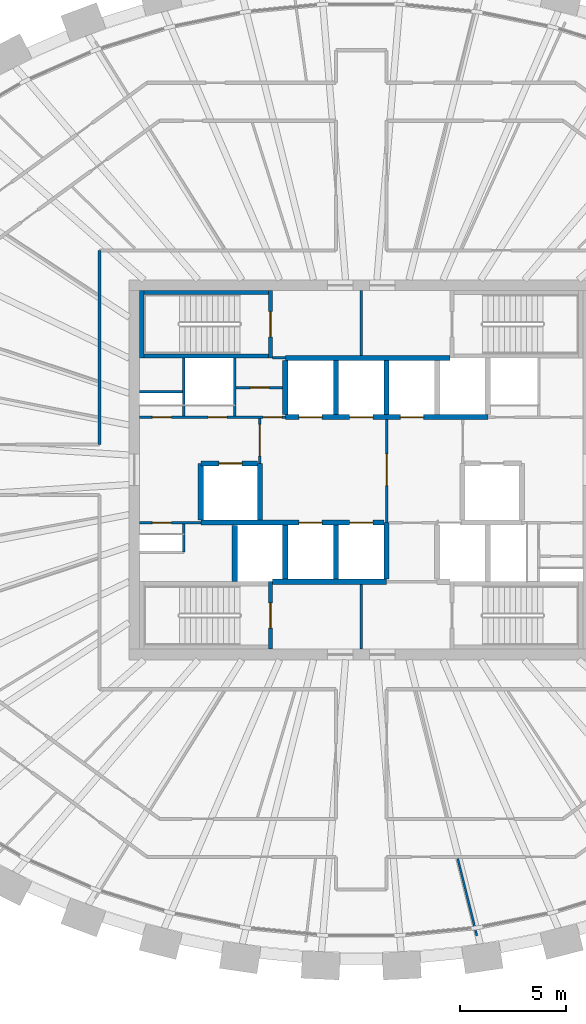
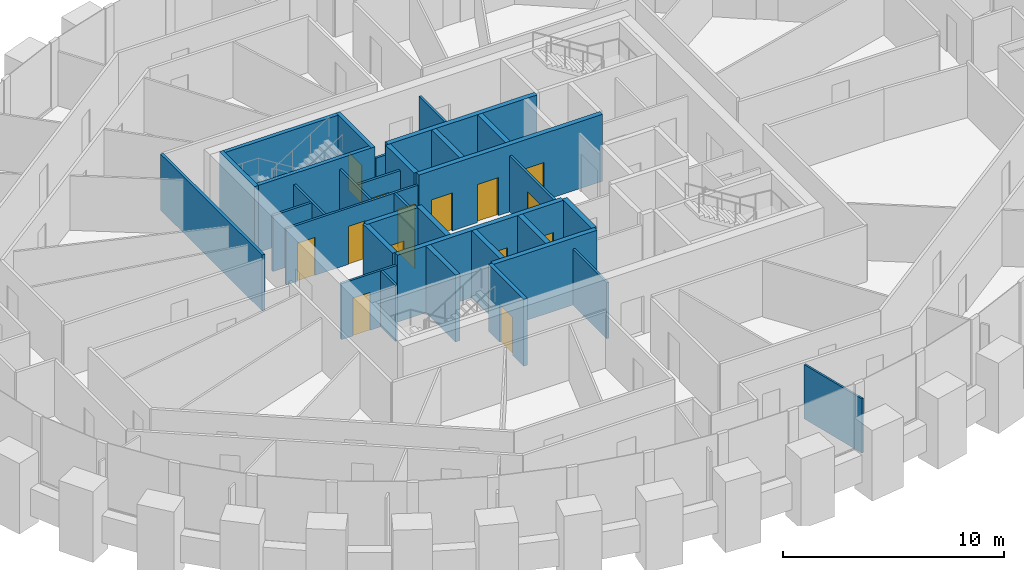
# One storey, part 7 of 12: 33 walls, 15 doors, 15 openings.
"""IFC4 building model written with IfcOpenShell, lengths in metres."""

from ifc_helpers import new_model, si_unit, direction, frame, frame_2d, origin, place, context, subcontext, project, spatial, rectangle, extrude, source, transform, mapped, material, layer, layer_set, type_object, element, fill, save


model = new_model("IFC4")

# Units and contexts
model_context = context("Model", 3, precision=1e-05, world=origin(), true_north=direction((0.0, 1.0)))
body_context = subcontext(model_context, "Body", "Model", "MODEL_VIEW")
ifc_project = project(units=[si_unit("LENGTHUNIT", "METRE"), si_unit("AREAUNIT", "SQUARE_METRE"), si_unit("VOLUMEUNIT", "CUBIC_METRE"), si_unit("PLANEANGLEUNIT", "RADIAN"), si_unit("MASSUNIT", "GRAM", prefix="KILO")], contexts=[model_context])

# Site, building, storey
site_placement = place(None, origin())
site = spatial("IfcSite", under=ifc_project, at=site_placement, CompositionType="ELEMENT")
building_placement = place(site_placement, origin())
building = spatial("IfcBuilding", under=site, at=building_placement, Name="Embergate Tower", CompositionType="ELEMENT")
storey_placement = place(building_placement, frame((0.0, 0.0, 313.0)))
storey = spatial("IfcBuildingStorey", under=building, at=storey_placement, Name="L73", CompositionType="ELEMENT", Elevation=313.0)

# Walls
ifc_material_1 = material(Name="Concrete C50", Category="concrete")
ifc_layer_1 = layer(ifc_material_1, 0.25)
ifc_layer_set_1 = layer_set([ifc_layer_1], Name="Concrete C50")
wall_type_1 = type_object("IfcWallType", Name="Hoistway wall reinforced concrete 250", PredefinedType="SHEAR", material=ifc_layer_set_1)
shared_shape_1 = source(origin(), body_context, "Body", "SweptSolid", [
    extrude(rectangle(XDim=2.675048828125, YDim=0.25, at=frame_2d((1.33740234375, 0.0))), origin(), (0.0, 0.0, 1.0), 3.699951171875),
])
for number, where, z_axis, x_axis, name in (
    (1, (1.199951171875, -5.175048828125, 0.0), (0.0, 0.0, 1.0), (0.0, 1.0, 0.0), "HW-1 wall"),
    (2, (-4.800048828125, 0.300048828125, 0.0), (0.0, 0.0, 1.0), (0.0, -1.0, 0.0), "HW-1 wall"),
):
    element("IfcWall", number, at=place(storey_placement, frame(where, z_axis=z_axis, x_axis=x_axis)), inside=storey, type_object=wall_type_1, Name=name, PredefinedType="SHEAR", context=body_context, shape_type="MappedRepresentation", body=[
        mapped(shared_shape_1, transform((0.0, 0.0, 0.0))),
    ])

# Wall, opening, door
wall_1_placement = place(storey_placement, frame((-4.925048828125, 0.300048828125, 0.0), z_axis=(0.0, 0.0, 1.0), x_axis=(-1.0, 0.0, 0.0)))
wall_1 = element("IfcWall", 3, at=wall_1_placement, inside=storey, type_object=wall_type_1, Name="HW-1 wall", PredefinedType="SHEAR", context=body_context, shape_type="MappedRepresentation", body=[
    mapped(shared_shape_1, transform((0.0, 0.0, 0.0))),
])
shared_shape_2 = source(origin(), body_context, "Body", "SweptSolid", [
    extrude(rectangle(XDim=1.10009765625, YDim=2.10009765625, at=frame_2d((0.550048828125, 1.050048828125))), frame((0.0, 0.135009765625, 0.0), z_axis=(0.0, -1.0, 0.0), x_axis=(1.0, 0.0, 0.0)), (0.0, 0.0, 1.0), 0.27001953125),
])
opening_1_placement = place(wall_1_placement, frame((0.72509765625, 0.0, 0.0)))
opening_1 = element("IfcOpeningElement", 4, at=opening_1_placement, cuts=wall_1, Name="Opening LD", PredefinedType="OPENING", context=body_context, shape_type="MappedRepresentation", body=[
    mapped(shared_shape_2, transform((0.0, 0.0, 0.0))),
])
ifc_material_2 = material(Name="Landing door sliding 1100")
door_type_1 = type_object("IfcDoorType", Name="Landing door sliding 1100", OperationType="SLIDING_TO_LEFT", PredefinedType="DOOR", material=ifc_material_2)
shared_shape_3 = source(origin(), body_context, "Body", "SweptSolid", [
    extrude(rectangle(XDim=1.10009765625, YDim=2.10009765625, at=frame_2d((0.550048828125, 1.050048828125))), frame((0.0, 0.02490234375, 0.0), z_axis=(0.0, -1.0, 0.0), x_axis=(1.0, 0.0, 0.0)), (0.0, 0.0, 1.0), 0.050048828125),
])
door_1_placement = place(opening_1_placement, origin())
door_1 = element("IfcDoor", 5, at=door_1_placement, inside=storey, type_object=door_type_1, Name="LD door", OperationType="SLIDING_TO_RIGHT", OverallHeight=2.10009765625, OverallWidth=1.10009765625, PredefinedType="DOOR", context=body_context, shape_type="MappedRepresentation", body=[
    mapped(shared_shape_3, transform((0.0, 0.0, 0.0))),
])
fill(opening_1, door_1)

# Walls
wall_2_placement = place(storey_placement, frame((-7.60009765625, 0.300048828125, 0.0), z_axis=(0.0, 0.0, 1.0), x_axis=(0.0, -1.0, 0.0)))
element("IfcWall", 6, at=wall_2_placement, inside=storey, type_object=wall_type_1, Name="HW-1 wall", PredefinedType="SHEAR", context=body_context, shape_type="MappedRepresentation", body=[
    mapped(shared_shape_1, transform((0.0, 0.0, 0.0))),
])
ifc_layer_2 = layer(ifc_material_1, 0.199951171875)
ifc_layer_set_2 = layer_set([ifc_layer_2], Name="Concrete C50")
wall_type_2 = type_object("IfcWallType", Name="Stair enclosure wall reinforced concrete 250", PredefinedType="SHEAR", material=ifc_layer_set_2)
shared_shape_4 = source(origin(), body_context, "Body", "SweptSolid", [
    extrude(rectangle(XDim=6.300048828125, YDim=0.199951171875, at=frame_2d((3.14990234375, 0.0))), origin(), (0.0, 0.0, 1.0), 3.699951171875),
])
wall_3_placement = place(storey_placement, frame((-4.199951171875, 5.39990234375, 0.0), z_axis=(0.0, 0.0, 1.0), x_axis=(-1.0, 0.0, 0.0)))
element("IfcWall", 7, at=wall_3_placement, inside=storey, type_object=wall_type_2, Name="SE-1 wall", PredefinedType="SHEAR", context=body_context, shape_type="MappedRepresentation", body=[
    mapped(shared_shape_4, transform((0.0, 0.0, 0.0))),
])
ifc_material_3 = material(Name="Core partition blockwork 120")
ifc_layer_3 = layer(ifc_material_3, 0.1201171875)
ifc_layer_set_3 = layer_set([ifc_layer_3], Name="Core partition blockwork 120")
wall_type_3 = type_object("IfcWallType", Name="Core partition blockwork 120", PredefinedType="PARTITIONING", material=ifc_layer_set_3)
shared_shape_5 = source(origin(), body_context, "Body", "SweptSolid", [
    extrude(rectangle(XDim=2.739990234375, YDim=0.1201171875, at=frame_2d((1.3701171875, 0.0))), origin(), (0.0, 0.0, 1.0), 3.10009765625),
])
wall_4_placement = place(storey_placement, frame((-6.0, 2.56005859375, 0.0), z_axis=(0.0, 0.0, 1.0), x_axis=(0.0, 1.0, 0.0)))
element("IfcWall", 8, at=wall_4_placement, inside=storey, type_object=wall_type_3, Name="IP-3 wall", PredefinedType="PARTITIONING", context=body_context, shape_type="MappedRepresentation", body=[
    mapped(shared_shape_5, transform((0.0, 0.0, 0.0))),
])
shared_shape_6 = source(origin(), body_context, "Body", "SweptSolid", [
    extrude(rectangle(XDim=2.550048828125, YDim=0.25, at=frame_2d((1.27490234375, 0.0))), origin(), (0.0, 0.0, 1.0), 3.699951171875),
])
for number, where, z_axis, x_axis, name in (
    (9, (-1.199951171875, 2.625, 0.0), (0.0, 0.0, 1.0), (0.0, 1.0, 0.0), "HW-1 wall"),
    (10, (-3.60009765625, 5.175048828125, 0.0), (0.0, 0.0, 1.0), (0.0, -1.0, 0.0), "HW-1 wall"),
    (11, (1.199951171875, 2.625, 0.0), (0.0, 0.0, 1.0), (0.0, 1.0, 0.0), "HW-1 wall"),
    (12, (-3.60009765625, -5.175048828125, 0.0), (0.0, 0.0, 1.0), (0.0, 1.0, 0.0), "HW-1 wall"),
    (13, (-1.199951171875, -5.175048828125, 0.0), (0.0, 0.0, 1.0), (0.0, 1.0, 0.0), "HW-1 wall"),
):
    element("IfcWall", number, at=place(storey_placement, frame(where, z_axis=z_axis, x_axis=x_axis)), inside=storey, type_object=wall_type_1, Name=name, PredefinedType="SHEAR", context=body_context, shape_type="MappedRepresentation", body=[
        mapped(shared_shape_6, transform((0.0, 0.0, 0.0))),
    ])

# Wall, opening, door
shared_shape_7 = source(origin(), body_context, "Body", "SweptSolid", [
    extrude(rectangle(XDim=3.199951171875, YDim=0.199951171875, at=frame_2d((1.60009765625, 0.0))), origin(), (0.0, 0.0, 1.0), 3.699951171875),
])
wall_5_placement = place(storey_placement, frame((-4.300048828125, 5.300048828125, 0.0), z_axis=(0.0, 0.0, 1.0), x_axis=(0.0, 1.0, 0.0)))
wall_5 = element("IfcWall", 14, at=wall_5_placement, inside=storey, type_object=wall_type_2, Name="SE-1 wall", PredefinedType="SHEAR", context=body_context, shape_type="MappedRepresentation", body=[
    mapped(shared_shape_7, transform((0.0, 0.0, 0.0))),
])
shared_shape_8 = source(origin(), body_context, "Body", "SweptSolid", [
    extrude(rectangle(XDim=1.199951171875, YDim=2.10009765625, at=frame_2d((0.60009765625, 1.050048828125))), frame((0.0, 0.10986328125, 0.0), z_axis=(0.0, -1.0, 0.0), x_axis=(1.0, 0.0, 0.0)), (0.0, 0.0, 1.0), 0.219970703125),
])
opening_2_placement = place(wall_5_placement, frame((1.0, 0.0, 0.0)))
opening_2 = element("IfcOpeningElement", 15, at=opening_2_placement, cuts=wall_5, Name="Opening IF-2", PredefinedType="OPENING", context=body_context, shape_type="MappedRepresentation", body=[
    mapped(shared_shape_8, transform((0.0, 0.0, 0.0))),
])
ifc_material_4 = material(Name="Stair enclosure door 1200")
door_type_2 = type_object("IfcDoorType", Name="Stair enclosure door 1200", OperationType="SINGLE_SWING_LEFT", PredefinedType="DOOR", material=ifc_material_4)
shared_shape_9 = source(origin(), body_context, "Body", "SweptSolid", [
    extrude(rectangle(XDim=1.199951171875, YDim=2.10009765625, at=frame_2d((0.60009765625, 1.050048828125))), frame((0.0, 0.02490234375, 0.0), z_axis=(0.0, -1.0, 0.0), x_axis=(1.0, 0.0, 0.0)), (0.0, 0.0, 1.0), 0.050048828125),
])
door_2_placement = place(opening_2_placement, origin())
door_2 = element("IfcDoor", 16, at=door_2_placement, inside=storey, type_object=door_type_2, Name="IF-2 door", OperationType="SINGLE_SWING_RIGHT", OverallHeight=2.10009765625, OverallWidth=1.199951171875, PredefinedType="DOOR", context=body_context, shape_type="MappedRepresentation", body=[
    mapped(shared_shape_9, transform((0.0, 0.0, 0.0))),
])
fill(opening_2, door_2)

wall_6_placement = place(storey_placement, frame((-4.300048828125, -8.5, 0.0), z_axis=(0.0, 0.0, 1.0), x_axis=(0.0, 1.0, 0.0)))
wall_6 = element("IfcWall", 17, at=wall_6_placement, inside=storey, type_object=wall_type_2, Name="SE-1 wall", PredefinedType="SHEAR", context=body_context, shape_type="MappedRepresentation", body=[
    mapped(shared_shape_7, transform((0.0, 0.0, 0.0))),
])
opening_3_placement = place(wall_6_placement, frame((1.0, 0.0, 0.0)))
opening_3 = element("IfcOpeningElement", 18, at=opening_3_placement, cuts=wall_6, Name="Opening IF-2", PredefinedType="OPENING", context=body_context, shape_type="MappedRepresentation", body=[
    mapped(shared_shape_8, transform((0.0, 0.0, 0.0))),
])
door_3_placement = place(opening_3_placement, origin())
door_3 = element("IfcDoor", 19, at=door_3_placement, inside=storey, type_object=door_type_2, Name="IF-2 door", OperationType="SINGLE_SWING_RIGHT", OverallHeight=2.10009765625, OverallWidth=1.199951171875, PredefinedType="DOOR", context=body_context, shape_type="MappedRepresentation", body=[
    mapped(shared_shape_9, transform((0.0, 0.0, 0.0))),
])
fill(opening_3, door_3)

# Walls
wall_7_placement = place(storey_placement, frame((-10.39990234375, 8.5, 0.0), z_axis=(0.0, 0.0, 1.0), x_axis=(0.0, -1.0, 0.0)))
element("IfcWall", 20, at=wall_7_placement, inside=storey, type_object=wall_type_2, Name="SE-1 wall", PredefinedType="SHEAR", context=body_context, shape_type="MappedRepresentation", body=[
    mapped(shared_shape_7, transform((0.0, 0.0, 0.0))),
])
shared_shape_10 = source(origin(), body_context, "Body", "SweptSolid", [
    extrude(rectangle(XDim=2.671142578125, YDim=0.25, at=frame_2d((1.33544921875, 0.0))), origin(), (0.0, 0.0, 1.0), 3.699951171875),
])
wall_8_placement = place(storey_placement, frame((-6.0, -2.626953125, 0.0), z_axis=(0.0, 0.0, 1.0), x_axis=(0.0, -1.0, 0.0)))
element("IfcWall", 21, at=wall_8_placement, inside=storey, type_object=wall_type_1, Name="HW-1 wall", PredefinedType="SHEAR", context=body_context, shape_type="MappedRepresentation", body=[
    mapped(shared_shape_10, transform((0.0, 0.0, 0.0))),
])
shared_shape_11 = source(origin(), body_context, "Body", "SweptSolid", [
    extrude(rectangle(XDim=7.800048828125, YDim=0.25, at=frame_2d((3.89990234375, 0.0))), origin(), (0.0, 0.0, 1.0), 3.699951171875),
])
wall_9_placement = place(storey_placement, frame((4.199951171875, 5.300048828125, 0.0), z_axis=(0.0, 0.0, 1.0), x_axis=(-1.0, 0.0, 0.0)))
element("IfcWall", 22, at=wall_9_placement, inside=storey, type_object=wall_type_1, Name="HW-1 wall", PredefinedType="SHEAR", context=body_context, shape_type="MappedRepresentation", body=[
    mapped(shared_shape_11, transform((0.0, 0.0, 0.0))),
])
shared_shape_12 = source(origin(), body_context, "Body", "SweptSolid", [
    extrude(rectangle(XDim=5.39990234375, YDim=0.25, at=frame_2d((2.699951171875, 0.0))), origin(), (0.0, 0.0, 1.0), 3.699951171875),
])
wall_10_placement = place(storey_placement, frame((-4.199951171875, -5.300048828125, 0.0), z_axis=(0.0, 0.0, 1.0), x_axis=(1.0, 0.0, 0.0)))
element("IfcWall", 23, at=wall_10_placement, inside=storey, type_object=wall_type_1, Name="HW-1 wall", PredefinedType="SHEAR", context=body_context, shape_type="MappedRepresentation", body=[
    mapped(shared_shape_12, transform((0.0, 0.0, 0.0))),
])
shared_shape_13 = source(origin(), body_context, "Body", "SweptSolid", [
    extrude(rectangle(XDim=6.298095703125, YDim=0.199951171875, at=frame_2d((3.14892578125, 0.0))), origin(), (0.0, 0.0, 1.0), 3.699951171875),
])
wall_11_placement = place(storey_placement, frame((-4.201904296875, 8.39990234375, 0.0), z_axis=(0.0, 0.0, 1.0), x_axis=(-1.0, 0.0, 0.0)))
element("IfcWall", 24, at=wall_11_placement, inside=storey, type_object=wall_type_2, Name="SE-1 wall", PredefinedType="SHEAR", context=body_context, shape_type="MappedRepresentation", body=[
    mapped(shared_shape_13, transform((0.0, 0.0, 0.0))),
])
ifc_material_5 = material(Name="Corridor wall dry-lined 150")
ifc_layer_4 = layer(ifc_material_5, 0.14990234375)
ifc_layer_set_4 = layer_set([ifc_layer_4], Name="Corridor wall dry-lined 150")
wall_type_4 = type_object("IfcWallType", Name="Corridor wall dry-lined 150", PredefinedType="PARTITIONING", material=ifc_layer_set_4)
shared_shape_14 = source(origin(), body_context, "Body", "SweptSolid", [
    extrude(rectangle(XDim=9.199951171875, YDim=0.14990234375, at=frame_2d((4.60009765625, 0.0))), origin(), (0.0, 0.0, 1.0), 3.10009765625),
])
wall_12_placement = place(storey_placement, frame((-12.39990234375, 10.39990234375, 0.0), z_axis=(0.0, 0.0, 1.0), x_axis=(0.0, -1.0, 0.0)))
element("IfcWall", 25, at=wall_12_placement, inside=storey, type_object=wall_type_4, Name="IP-2 wall", PredefinedType="PARTITIONING", context=body_context, shape_type="MappedRepresentation", body=[
    mapped(shared_shape_14, transform((0.0, 0.0, 0.0))),
])
shared_shape_15 = source(origin(), body_context, "Body", "SweptSolid", [
    extrude(rectangle(XDim=2.738037109375, YDim=0.1201171875, at=frame_2d((1.369140625, 0.0))), origin(), (0.0, 0.0, 1.0), 3.10009765625),
])
wall_13_placement = place(storey_placement, frame((-8.39990234375, 5.298095703125, 0.0), z_axis=(0.0, 0.0, 1.0), x_axis=(0.0, -1.0, 0.0)))
element("IfcWall", 26, at=wall_13_placement, inside=storey, type_object=wall_type_3, Name="IP-3 wall", PredefinedType="PARTITIONING", context=body_context, shape_type="MappedRepresentation", body=[
    mapped(shared_shape_15, transform((0.0, 0.0, 0.0))),
])

# Wall, opening, door
shared_shape_16 = source(origin(), body_context, "Body", "SweptSolid", [
    extrude(rectangle(XDim=4.875, YDim=0.1201171875, at=frame_2d((2.4375, 0.0))), origin(), (0.0, 0.0, 1.0), 3.10009765625),
])
wall_14_placement = place(storey_placement, frame((1.199951171875, -2.5, 0.0), z_axis=(0.0, 0.0, 1.0), x_axis=(0.0, 1.0, 0.0)))
wall_14 = element("IfcWall", 27, at=wall_14_placement, inside=storey, type_object=wall_type_3, Name="IP-3 wall", PredefinedType="PARTITIONING", context=body_context, shape_type="MappedRepresentation", body=[
    mapped(shared_shape_16, transform((0.0, 0.0, 0.0))),
])
shared_shape_17 = source(origin(), body_context, "Body", "SweptSolid", [
    extrude(rectangle(XDim=1.5, YDim=2.10009765625, at=frame_2d((0.75, 1.050048828125))), frame((0.0, 0.070068359375, 0.0), z_axis=(0.0, -1.0, 0.0), x_axis=(1.0, 0.0, 0.0)), (0.0, 0.0, 1.0), 0.14013671875),
])
opening_4_placement = place(wall_14_placement, frame((1.75, 0.0, 0.0)))
opening_4 = element("IfcOpeningElement", 28, at=opening_4_placement, cuts=wall_14, Name="Opening IF-3", PredefinedType="OPENING", context=body_context, shape_type="MappedRepresentation", body=[
    mapped(shared_shape_17, transform((0.0, 0.0, 0.0))),
])
ifc_material_6 = material(Name="Lobby fire door pair 1500")
door_type_3 = type_object("IfcDoorType", Name="Lobby fire door pair 1500", OperationType="DOUBLE_DOOR_SINGLE_SWING", PredefinedType="DOOR", material=ifc_material_6)
shared_shape_18 = source(origin(), body_context, "Body", "SweptSolid", [
    extrude(rectangle(XDim=1.5, YDim=2.10009765625, at=frame_2d((0.75, 1.050048828125))), frame((0.0, 0.02490234375, 0.0), z_axis=(0.0, -1.0, 0.0), x_axis=(1.0, 0.0, 0.0)), (0.0, 0.0, 1.0), 0.050048828125),
])
door_4_placement = place(opening_4_placement, origin())
door_4 = element("IfcDoor", 29, at=door_4_placement, inside=storey, type_object=door_type_3, Name="IF-3 door", OperationType="DOUBLE_DOOR_SINGLE_SWING", OverallHeight=2.10009765625, OverallWidth=1.5, PredefinedType="DOOR", context=body_context, shape_type="MappedRepresentation", body=[
    mapped(shared_shape_18, transform((0.0, 0.0, 0.0))),
])
fill(opening_4, door_4)

shared_shape_19 = source(origin(), body_context, "Body", "SweptSolid", [
    extrude(rectangle(XDim=2.139892578125, YDim=0.1201171875, at=frame_2d((1.06982421875, 0.0))), origin(), (0.0, 0.0, 1.0), 3.10009765625),
])
wall_15_placement = place(storey_placement, frame((-4.800048828125, 2.43994140625, 0.0), z_axis=(0.0, 0.0, 1.0), x_axis=(0.0, -1.0, 0.0)))
wall_15 = element("IfcWall", 30, at=wall_15_placement, inside=storey, type_object=wall_type_3, Name="IP-3 wall", PredefinedType="PARTITIONING", context=body_context, shape_type="MappedRepresentation", body=[
    mapped(shared_shape_19, transform((0.0, 0.0, 0.0))),
])
opening_5_placement = place(wall_15_placement, frame((0.2900390625, 0.0, 0.0)))
opening_5 = element("IfcOpeningElement", 31, at=opening_5_placement, cuts=wall_15, Name="Opening IF-3", PredefinedType="OPENING", context=body_context, shape_type="MappedRepresentation", body=[
    mapped(shared_shape_17, transform((0.0, 0.0, 0.0))),
])
door_5_placement = place(opening_5_placement, origin())
door_5 = element("IfcDoor", 32, at=door_5_placement, inside=storey, type_object=door_type_3, Name="IF-3 door", OperationType="DOUBLE_DOOR_SINGLE_SWING", OverallHeight=2.10009765625, OverallWidth=1.5, PredefinedType="DOOR", context=body_context, shape_type="MappedRepresentation", body=[
    mapped(shared_shape_18, transform((0.0, 0.0, 0.0))),
])
fill(opening_5, door_5)

# Walls
shared_shape_20 = source(origin(), body_context, "Body", "SweptSolid", [
    extrude(rectangle(XDim=3.074951171875, YDim=0.1201171875, at=frame_2d((1.53759765625, 0.0))), origin(), (0.0, 0.0, 1.0), 3.10009765625),
])
for number, where, z_axis, x_axis, name in (
    (33, (0.0, 5.425048828125, 0.0), (0.0, 0.0, 1.0), (0.0, 1.0, 0.0), "IP-3 wall"),
    (34, (0.0, -8.5, 0.0), (0.0, 0.0, 1.0), (0.0, 1.0, 0.0), "IP-3 wall"),
):
    element("IfcWall", number, at=place(storey_placement, frame(where, z_axis=z_axis, x_axis=x_axis)), inside=storey, type_object=wall_type_3, Name=name, PredefinedType="PARTITIONING", context=body_context, shape_type="MappedRepresentation", body=[
        mapped(shared_shape_20, transform((0.0, 0.0, 0.0))),
    ])
shared_shape_21 = source(origin(), body_context, "Body", "SweptSolid", [
    extrude(rectangle(XDim=0.599853515625, YDim=0.1201171875, at=frame_2d((0.2998046875, 0.0))), origin(), (0.0, 0.0, 1.0), 3.10009765625),
])
wall_16_placement = place(storey_placement, frame((-4.199951171875, 5.300048828125, 0.0), z_axis=(0.0, 0.0, 1.0), x_axis=(1.0, 0.0, 0.0)))
element("IfcWall", 35, at=wall_16_placement, inside=storey, type_object=wall_type_3, Name="IP-3 wall", PredefinedType="PARTITIONING", context=body_context, shape_type="MappedRepresentation", body=[
    mapped(shared_shape_21, transform((0.0, 0.0, 0.0))),
])
shared_shape_22 = source(origin(), body_context, "Body", "SweptSolid", [
    extrude(rectangle(XDim=2.0380859375, YDim=0.1201171875, at=frame_2d((1.01904296875, 0.0))), origin(), (0.0, 0.0, 1.0), 3.10009765625),
])
wall_17_placement = place(storey_placement, frame((-8.4619140625, 3.7041015625, 0.0), z_axis=(0.0, 0.0, 1.0), x_axis=(-1.0, 0.0, 0.0)))
element("IfcWall", 36, at=wall_17_placement, inside=storey, type_object=wall_type_3, Name="IP-3 wall", PredefinedType="PARTITIONING", context=body_context, shape_type="MappedRepresentation", body=[
    mapped(shared_shape_22, transform((0.0, 0.0, 0.0))),
])

# Wall, openings, doors
shared_shape_23 = source(origin(), body_context, "Body", "SweptSolid", [
    extrude(rectangle(XDim=9.60009765625, YDim=0.25, at=frame_2d((4.800048828125, 0.0))), origin(), (0.0, 0.0, 1.0), 3.699951171875),
])
wall_18_placement = place(storey_placement, frame((-3.60009765625, 2.5, 0.0), z_axis=(0.0, 0.0, 1.0), x_axis=(1.0, 0.0, 0.0)))
wall_18 = element("IfcWall", 37, at=wall_18_placement, inside=storey, type_object=wall_type_1, Name="HW-1 wall", PredefinedType="SHEAR", context=body_context, shape_type="MappedRepresentation", body=[
    mapped(shared_shape_23, transform((0.0, 0.0, 0.0))),
])
opening_6_placement = place(wall_18_placement, frame((0.64990234375, 0.0, 0.0)))
opening_6 = element("IfcOpeningElement", 38, at=opening_6_placement, cuts=wall_18, Name="Opening LD", PredefinedType="OPENING", context=body_context, shape_type="MappedRepresentation", body=[
    mapped(shared_shape_2, transform((0.0, 0.0, 0.0))),
])
opening_7_placement = place(wall_18_placement, frame((3.050048828125, 0.0, 0.0)))
opening_7 = element("IfcOpeningElement", 39, at=opening_7_placement, cuts=wall_18, Name="Opening LD", PredefinedType="OPENING", context=body_context, shape_type="MappedRepresentation", body=[
    mapped(shared_shape_2, transform((0.0, 0.0, 0.0))),
])
opening_8_placement = place(wall_18_placement, frame((5.449951171875, 0.0, 0.0)))
opening_8 = element("IfcOpeningElement", 40, at=opening_8_placement, cuts=wall_18, Name="Opening LD", PredefinedType="OPENING", context=body_context, shape_type="MappedRepresentation", body=[
    mapped(shared_shape_2, transform((0.0, 0.0, 0.0))),
])
door_6_placement = place(opening_6_placement, origin())
door_6 = element("IfcDoor", 41, at=door_6_placement, inside=storey, type_object=door_type_1, Name="LD door", OperationType="SLIDING_TO_RIGHT", OverallHeight=2.10009765625, OverallWidth=1.10009765625, PredefinedType="DOOR", context=body_context, shape_type="MappedRepresentation", body=[
    mapped(shared_shape_3, transform((0.0, 0.0, 0.0))),
])
fill(opening_6, door_6)
door_7_placement = place(opening_7_placement, origin())
door_7 = element("IfcDoor", 42, at=door_7_placement, inside=storey, type_object=door_type_1, Name="LD door", OperationType="SLIDING_TO_LEFT", OverallHeight=2.10009765625, OverallWidth=1.10009765625, PredefinedType="DOOR", context=body_context, shape_type="MappedRepresentation", body=[
    mapped(shared_shape_3, transform((0.0, 0.0, 0.0))),
])
fill(opening_7, door_7)
door_8_placement = place(opening_8_placement, origin())
door_8 = element("IfcDoor", 43, at=door_8_placement, inside=storey, type_object=door_type_1, Name="LD door", OperationType="SLIDING_TO_LEFT", OverallHeight=2.10009765625, OverallWidth=1.10009765625, PredefinedType="DOOR", context=body_context, shape_type="MappedRepresentation", body=[
    mapped(shared_shape_3, transform((0.0, 0.0, 0.0))),
])
fill(opening_8, door_8)

shared_shape_24 = source(origin(), body_context, "Body", "SweptSolid", [
    extrude(rectangle(XDim=6.89990234375, YDim=0.1201171875, at=frame_2d((3.449951171875, 0.0))), origin(), (0.0, 0.0, 1.0), 3.10009765625),
])
wall_19_placement = place(storey_placement, frame((-10.5, 2.5, 0.0), z_axis=(0.0, 0.0, 1.0), x_axis=(1.0, 0.0, 0.0)))
wall_19 = element("IfcWall", 44, at=wall_19_placement, inside=storey, type_object=wall_type_3, Name="IP-3 wall", PredefinedType="PARTITIONING", context=body_context, shape_type="MappedRepresentation", body=[
    mapped(shared_shape_24, transform((0.0, 0.0, 0.0))),
])
shared_shape_25 = source(origin(), body_context, "Body", "SweptSolid", [
    extrude(rectangle(XDim=0.89990234375, YDim=2.10009765625, at=frame_2d((0.449951171875, 1.050048828125))), frame((0.0, 0.070068359375, 0.0), z_axis=(0.0, -1.0, 0.0), x_axis=(1.0, 0.0, 0.0)), (0.0, 0.0, 1.0), 0.14013671875),
])
opening_9_placement = place(wall_19_placement, frame((3.25, 0.0, 0.0)))
opening_9 = element("IfcOpeningElement", 45, at=opening_9_placement, cuts=wall_19, Name="Opening ID-1", PredefinedType="OPENING", context=body_context, shape_type="MappedRepresentation", body=[
    mapped(shared_shape_25, transform((0.0, 0.0, 0.0))),
])
opening_10_placement = place(wall_19_placement, frame((5.85009765625, 0.0, 0.0)))
opening_10 = element("IfcOpeningElement", 46, at=opening_10_placement, cuts=wall_19, Name="Opening ID-1", PredefinedType="OPENING", context=body_context, shape_type="MappedRepresentation", body=[
    mapped(shared_shape_25, transform((0.0, 0.0, 0.0))),
])
opening_11_placement = place(wall_19_placement, frame((0.60009765625, 0.0, 0.0)))
opening_11 = element("IfcOpeningElement", 47, at=opening_11_placement, cuts=wall_19, Name="Opening ID-1", PredefinedType="OPENING", context=body_context, shape_type="MappedRepresentation", body=[
    mapped(shared_shape_25, transform((0.0, 0.0, 0.0))),
])
ifc_material_7 = material(Name="Interior door 900")
door_type_4 = type_object("IfcDoorType", Name="Interior door 900", OperationType="SINGLE_SWING_LEFT", PredefinedType="DOOR", material=ifc_material_7)
shared_shape_26 = source(origin(), body_context, "Body", "SweptSolid", [
    extrude(rectangle(XDim=0.89990234375, YDim=2.10009765625, at=frame_2d((0.449951171875, 1.050048828125))), frame((0.0, 0.02490234375, 0.0), z_axis=(0.0, -1.0, 0.0), x_axis=(1.0, 0.0, 0.0)), (0.0, 0.0, 1.0), 0.050048828125),
])
door_9_placement = place(opening_9_placement, origin())
door_9 = element("IfcDoor", 48, at=door_9_placement, inside=storey, type_object=door_type_4, Name="ID-1 door", OperationType="SINGLE_SWING_LEFT", OverallHeight=2.10009765625, OverallWidth=0.89990234375, PredefinedType="DOOR", context=body_context, shape_type="MappedRepresentation", body=[
    mapped(shared_shape_26, transform((0.0, 0.0, 0.0))),
])
fill(opening_9, door_9)
door_10_placement = place(opening_10_placement, origin())
door_10 = element("IfcDoor", 49, at=door_10_placement, inside=storey, type_object=door_type_4, Name="ID-1 door", OperationType="SINGLE_SWING_LEFT", OverallHeight=2.10009765625, OverallWidth=0.89990234375, PredefinedType="DOOR", context=body_context, shape_type="MappedRepresentation", body=[
    mapped(shared_shape_26, transform((0.0, 0.0, 0.0))),
])
fill(opening_10, door_10)
door_11_placement = place(opening_11_placement, origin())
door_11 = element("IfcDoor", 50, at=door_11_placement, inside=storey, type_object=door_type_4, Name="ID-1 door", OperationType="SINGLE_SWING_LEFT", OverallHeight=2.10009765625, OverallWidth=0.89990234375, PredefinedType="DOOR", context=body_context, shape_type="MappedRepresentation", body=[
    mapped(shared_shape_26, transform((0.0, 0.0, 0.0))),
])
fill(opening_11, door_11)

# Wall, opening, door
shared_shape_27 = source(origin(), body_context, "Body", "SweptSolid", [
    extrude(rectangle(XDim=2.89794921875, YDim=0.1201171875, at=frame_2d((1.448974609375, 0.0))), origin(), (0.0, 0.0, 1.0), 3.10009765625),
])
wall_20_placement = place(storey_placement, frame((-10.5, -2.5, 0.0), z_axis=(0.0, 0.0, 1.0), x_axis=(1.0, 0.0, 0.0)))
wall_20 = element("IfcWall", 51, at=wall_20_placement, inside=storey, type_object=wall_type_3, Name="IP-3 wall", PredefinedType="PARTITIONING", context=body_context, shape_type="MappedRepresentation", body=[
    mapped(shared_shape_27, transform((0.0, 0.0, 0.0))),
])
opening_12_placement = place(wall_20_placement, frame((0.60009765625, 0.0, 0.0)))
opening_12 = element("IfcOpeningElement", 52, at=opening_12_placement, cuts=wall_20, Name="Opening ID-1", PredefinedType="OPENING", context=body_context, shape_type="MappedRepresentation", body=[
    mapped(shared_shape_25, transform((0.0, 0.0, 0.0))),
])
door_12_placement = place(opening_12_placement, origin())
door_12 = element("IfcDoor", 53, at=door_12_placement, inside=storey, type_object=door_type_4, Name="ID-1 door", OperationType="SINGLE_SWING_RIGHT", OverallHeight=2.10009765625, OverallWidth=0.89990234375, PredefinedType="DOOR", context=body_context, shape_type="MappedRepresentation", body=[
    mapped(shared_shape_26, transform((0.0, 0.0, 0.0))),
])
fill(opening_12, door_12)

shared_shape_28 = source(origin(), body_context, "Body", "SweptSolid", [
    extrude(rectangle(XDim=2.21484375, YDim=0.1201171875, at=frame_2d((1.107421875, 0.0))), origin(), (0.0, 0.0, 1.0), 3.10009765625),
])
wall_21_placement = place(storey_placement, frame((-3.72509765625, 3.89990234375, 0.0), z_axis=(0.0, 0.0, 1.0), x_axis=(-1.0, 0.0, 0.0)))
wall_21 = element("IfcWall", 54, at=wall_21_placement, inside=storey, type_object=wall_type_3, Name="IP-3 wall", PredefinedType="PARTITIONING", context=body_context, shape_type="MappedRepresentation", body=[
    mapped(shared_shape_28, transform((0.0, 0.0, 0.0))),
])
opening_13_placement = place(wall_21_placement, frame((0.625, 0.0, 0.0)))
opening_13 = element("IfcOpeningElement", 55, at=opening_13_placement, cuts=wall_21, Name="Opening ID-1", PredefinedType="OPENING", context=body_context, shape_type="MappedRepresentation", body=[
    mapped(shared_shape_25, transform((0.0, 0.0, 0.0))),
])
door_13_placement = place(opening_13_placement, origin())
door_13 = element("IfcDoor", 56, at=door_13_placement, inside=storey, type_object=door_type_4, Name="ID-1 door", OperationType="SINGLE_SWING_LEFT", OverallHeight=2.10009765625, OverallWidth=0.89990234375, PredefinedType="DOOR", context=body_context, shape_type="MappedRepresentation", body=[
    mapped(shared_shape_26, transform((0.0, 0.0, 0.0))),
])
fill(opening_13, door_13)

# Walls
shared_shape_29 = source(origin(), body_context, "Body", "SweptSolid", [
    extrude(rectangle(XDim=1.337890625, YDim=0.1201171875, at=frame_2d((0.6689453125, 0.0))), origin(), (0.0, 0.0, 1.0), 3.10009765625),
])
wall_22_placement = place(storey_placement, frame((-8.39990234375, -3.89990234375, 0.0), z_axis=(0.0, 0.0, 1.0), x_axis=(0.0, 1.0, 0.0)))
element("IfcWall", 57, at=wall_22_placement, inside=storey, type_object=wall_type_3, Name="IP-3 wall", PredefinedType="PARTITIONING", context=body_context, shape_type="MappedRepresentation", body=[
    mapped(shared_shape_29, transform((0.0, 0.0, 0.0))),
])
ifc_material_8 = material(Name="Partition dry-lined 100 wet")
ifc_layer_5 = layer(ifc_material_8, 0.10009765625)
ifc_layer_set_5 = layer_set([ifc_layer_5], Name="Partition dry-lined 100 wet")
wall_type_5 = type_object("IfcWallType", Name="Partition dry-lined 100 wet", PredefinedType="PLUMBINGWALL", material=ifc_layer_set_5)
shared_shape_30 = source(origin(), body_context, "Body", "SweptSolid", [
    extrude(rectangle(XDim=3.7626953125, YDim=0.10009765625, at=frame_2d((1.88134765625, 0.0))), origin(), (0.0, 0.0, 1.0), 3.0),
])
wall_23_placement = place(storey_placement, frame((4.573974609375, -18.427978515625, 0.0), z_axis=(0.0, 0.0, 1.0), x_axis=(0.240779579239, -0.970579823725, 0.0)))
element("IfcWall", 58, at=wall_23_placement, inside=storey, type_object=wall_type_5, Name="IP-1 wall", PredefinedType="PLUMBINGWALL", context=body_context, shape_type="MappedRepresentation", body=[
    mapped(shared_shape_30, transform((0.0, 0.0, 0.0))),
])

# Wall, openings, doors
shared_shape_31 = source(origin(), body_context, "Body", "SweptSolid", [
    extrude(rectangle(XDim=8.6728515625, YDim=0.25, at=frame_2d((4.33642578125, 0.0))), origin(), (0.0, 0.0, 1.0), 3.699951171875),
])
wall_24_placement = place(storey_placement, frame((1.074951171875, -2.5, 0.0), z_axis=(0.0, 0.0, 1.0), x_axis=(-1.0, 0.0, 0.0)))
wall_24 = element("IfcWall", 59, at=wall_24_placement, inside=storey, type_object=wall_type_1, Name="HW-1 wall", PredefinedType="SHEAR", context=body_context, shape_type="MappedRepresentation", body=[
    mapped(shared_shape_31, transform((0.0, 0.0, 0.0))),
])
opening_14_placement = place(wall_24_placement, frame((2.925048828125, 0.0, 0.0)))
opening_14 = element("IfcOpeningElement", 60, at=opening_14_placement, cuts=wall_24, Name="Opening LD", PredefinedType="OPENING", context=body_context, shape_type="MappedRepresentation", body=[
    mapped(shared_shape_2, transform((0.0, 0.0, 0.0))),
])
opening_15_placement = place(wall_24_placement, frame((0.52490234375, 0.0, 0.0)))
opening_15 = element("IfcOpeningElement", 61, at=opening_15_placement, cuts=wall_24, Name="Opening LD", PredefinedType="OPENING", context=body_context, shape_type="MappedRepresentation", body=[
    mapped(shared_shape_2, transform((0.0, 0.0, 0.0))),
])
door_14_placement = place(opening_14_placement, origin())
door_14 = element("IfcDoor", 62, at=door_14_placement, inside=storey, type_object=door_type_1, Name="LD door", OperationType="SLIDING_TO_LEFT", OverallHeight=2.10009765625, OverallWidth=1.10009765625, PredefinedType="DOOR", context=body_context, shape_type="MappedRepresentation", body=[
    mapped(shared_shape_3, transform((0.0, 0.0, 0.0))),
])
fill(opening_14, door_14)
door_15_placement = place(opening_15_placement, origin())
door_15 = element("IfcDoor", 63, at=door_15_placement, inside=storey, type_object=door_type_1, Name="LD door", OperationType="SLIDING_TO_LEFT", OverallHeight=2.10009765625, OverallWidth=1.10009765625, PredefinedType="DOOR", context=body_context, shape_type="MappedRepresentation", body=[
    mapped(shared_shape_3, transform((0.0, 0.0, 0.0))),
])
fill(opening_15, door_15)

save(model, "model.ifc")
